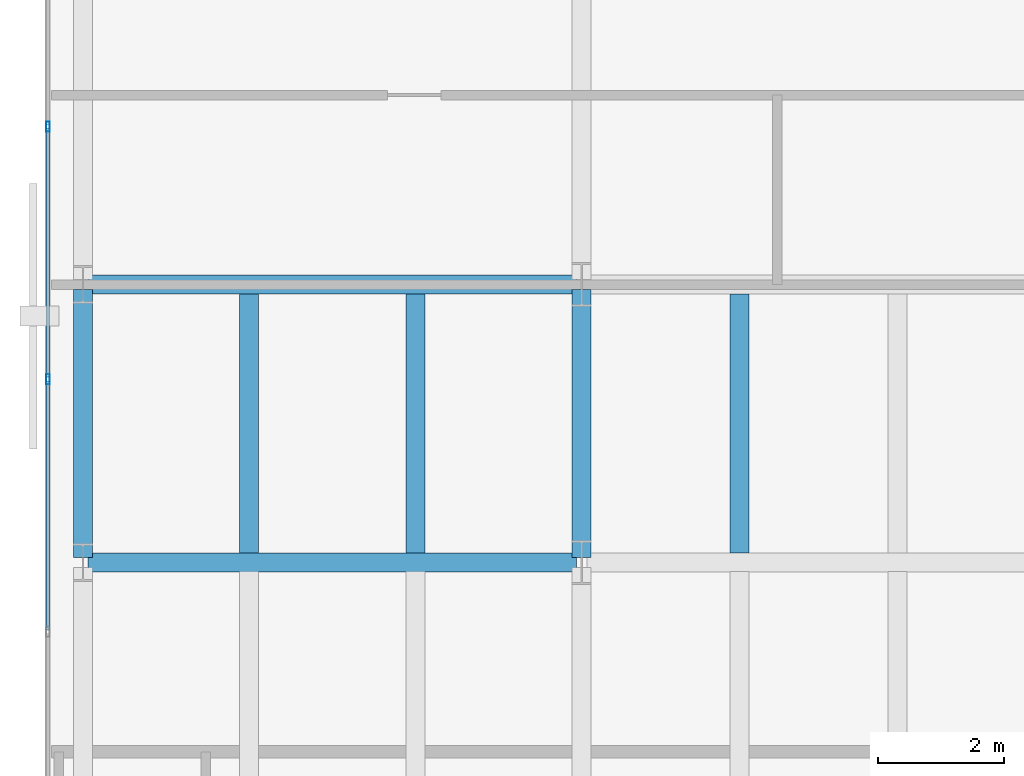
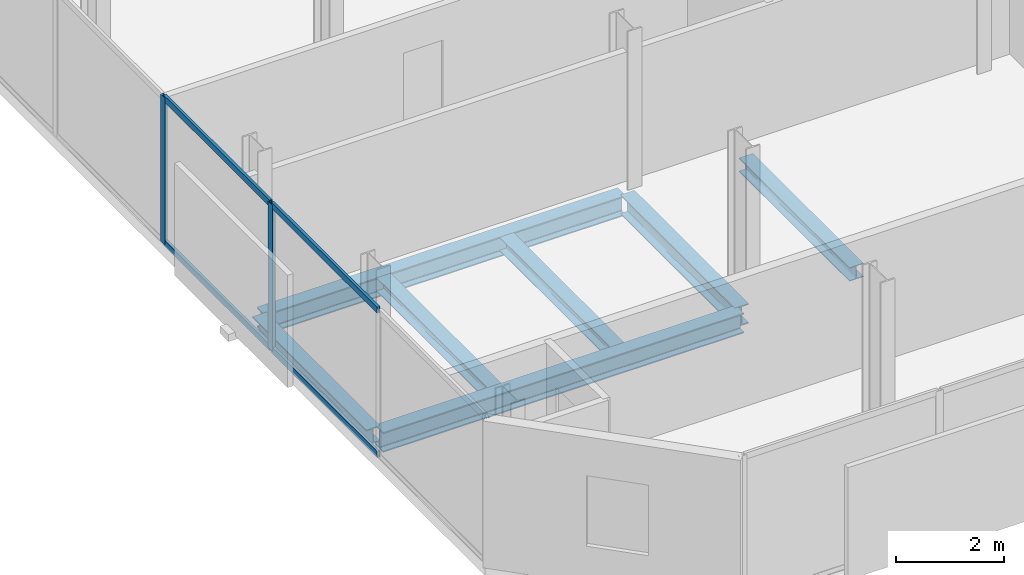
# One storey, part 5 of 32: 7 beams, 6 members, 1 element without a shape of its own.
"""IFC4 building model written with IfcOpenShell, lengths in metres."""

from ifc_helpers import new_model, si_unit, direction, frame, origin, origin_2d, place, context, subcontext, project, spatial, hollow_rectangle, i_section, extrude, material, layer, layer_set, material_profile, profile_set, type_object, element, aggregate, save


model = new_model("IFC4")

# Units and contexts
model_context = context("Model", 3, precision=1e-05, world=origin(), true_north=direction((0.0, 1.0)))
body_context = subcontext(model_context, "Body", "Model", "MODEL_VIEW")
ifc_project = project(units=[si_unit("LENGTHUNIT", "METRE"), si_unit("AREAUNIT", "SQUARE_METRE"), si_unit("VOLUMEUNIT", "CUBIC_METRE"), si_unit("PLANEANGLEUNIT", "RADIAN"), si_unit("MASSUNIT", "GRAM", prefix="KILO")], contexts=[model_context])

# Site, building, storey
site_placement = place(None, origin())
site = spatial("IfcSite", under=ifc_project, at=site_placement, CompositionType="ELEMENT")
building_placement = place(site_placement, origin())
building = spatial("IfcBuilding", under=site, at=building_placement, Name="Catumbela Crestline Tower", CompositionType="ELEMENT")
storey_placement = place(building_placement, frame((0.0, 0.0, 133.2)))
storey = spatial("IfcBuildingStorey", under=building, at=storey_placement, Name="L34", CompositionType="ELEMENT", Elevation=133.2)

# Beams
ifc_material_1 = material(Name="Structural steel S355J2", Category="steel")
ifc_material_profile_1 = material_profile(ifc_material_1, i_section(OverallWidth=0.3, OverallDepth=0.45, WebThickness=0.014, FlangeThickness=0.026, FilletRadius=0.027, at=origin_2d()), Name="HEB 450")
ifc_profile_set_1 = profile_set([ifc_material_profile_1], Name="Structural steel S355J2")
beam_type_1 = type_object("IfcBeamType", Name="BG-HEB450", PredefinedType="BEAM", material=ifc_profile_set_1)
for number, where, z_axis, x_axis, name in (
    (1, (0.68, 13.6, -0.485), (1.0, 0.0, 0.0), (0.0, 1.0, 0.0), "L34 Beam BM-L34-WEW46"),
    (2, (0.68, 18.0, -0.485), (1.0, 0.0, 0.0), (0.0, 1.0, 0.0), "L34 Beam BM-L34-WEW49"),
):
    element("IfcBeam", number, at=place(storey_placement, frame(where, z_axis=z_axis, x_axis=x_axis)), inside=storey, type_object=beam_type_1, Name=name, PredefinedType="BEAM", context=body_context, shape_type="SweptSolid", body=[
        extrude(i_section(OverallWidth=0.3, OverallDepth=0.45, WebThickness=0.014, FlangeThickness=0.026, FilletRadius=0.027, at=origin_2d()), origin(), (0.0, 0.0, 1.0), 7.74),
    ])
beam_1_placement = place(storey_placement, frame((8.5, 13.68, -0.485), z_axis=(0.0, 1.0, 0.0), x_axis=(-1.0, 0.0, 0.0)))
element("IfcBeam", 3, at=beam_1_placement, inside=storey, type_object=beam_type_1, Name="L34 Beam BM-L34-WNS56", PredefinedType="BEAM", context=body_context, shape_type="SweptSolid", body=[
    extrude(i_section(OverallWidth=0.3, OverallDepth=0.45, WebThickness=0.014, FlangeThickness=0.026, FilletRadius=0.027, at=origin_2d()), origin(), (0.0, 0.0, 1.0), 4.24),
])
ifc_material_profile_2 = material_profile(ifc_material_1, i_section(OverallWidth=0.3, OverallDepth=0.31, WebThickness=0.009, FlangeThickness=0.0155, FilletRadius=0.027, at=origin_2d()), Name="HEA 320")
ifc_profile_set_2 = profile_set([ifc_material_profile_2], Name="Structural steel S355J2")
beam_type_2 = type_object("IfcBeamType", Name="BJ-HEA320", PredefinedType="JOIST", material=ifc_profile_set_2)
for number, where, z_axis, x_axis, name in (
    (4, (3.233, 13.747, -0.415), (0.0, 1.0, 0.0), (-1.0, 0.0, 0.0), "L34 Joist JS-L34-WG69"),
    (5, (5.867, 13.747, -0.415), (0.0, 1.0, 0.0), (-1.0, 0.0, 0.0), "L34 Joist JS-L34-WG70"),
    (6, (11.0, 13.747, -0.415), (0.0, 1.0, 0.0), (-1.0, 0.0, 0.0), "L34 Joist JS-L34-WG71"),
):
    element("IfcBeam", number, at=place(storey_placement, frame(where, z_axis=z_axis, x_axis=x_axis)), inside=storey, type_object=beam_type_2, Name=name, PredefinedType="JOIST", context=body_context, shape_type="SweptSolid", body=[
        extrude(i_section(OverallWidth=0.3, OverallDepth=0.31, WebThickness=0.009, FlangeThickness=0.0155, FilletRadius=0.027, at=origin_2d()), origin(), (0.0, 0.0, 1.0), 4.106),
    ])

# Curtain wall, members
ifc_material_2 = material(Name="Aluminium alloy AW-6060-T66", Category="aluminium")
ifc_layer = layer(ifc_material_2, 0.18, Name="Aluminium alloy AW-6060-T66")
ifc_layer_set = layer_set([ifc_layer], Name="Aluminium alloy AW-6060-T66")
curtain_wall_type = type_object("IfcCurtainWallType", Name="CWU-Z2", PredefinedType="USERDEFINED", material=ifc_layer_set)
curtain_wall_placement = place(storey_placement, origin())
curtain_wall = element("IfcCurtainWall", 7, at=curtain_wall_placement, inside=storey, type_object=curtain_wall_type, Name="L34 Unitised Curtain Wall CW-L34-E9S1", ObjectType="UNITISED", PredefinedType="USERDEFINED")
ifc_material_profile_3 = material_profile(ifc_material_2, hollow_rectangle(XDim=0.06, YDim=0.16, WallThickness=0.004, at=origin_2d()), Name="ALU 160x60x4")
ifc_profile_set_3 = profile_set([ifc_material_profile_3], Name="Aluminium alloy AW-6060-T66")
member_type_1 = type_object("IfcMemberType", Name="MUL-160X60", PredefinedType="MULLION", material=ifc_profile_set_3)
member_1_placement = place(storey_placement, frame((0.05, 20.5, 0.0), z_axis=(0.0, 0.0, 1.0), x_axis=(1.0, 0.0, 0.0)))
member_1 = element("IfcMember", 8, at=member_1_placement, type_object=member_type_1, Name="CWU-Z2 mullion 7", PredefinedType="MULLION", context=body_context, shape_type="SweptSolid", body=[
    extrude(hollow_rectangle(XDim=0.06, YDim=0.16, WallThickness=0.004, at=origin_2d()), origin(), (0.0, 0.0, 1.0), 3.33),
])
member_2_placement = place(storey_placement, frame((0.05, 16.5, 0.0), z_axis=(0.0, 0.0, 1.0), x_axis=(1.0, 0.0, 0.0)))
member_2 = element("IfcMember", 9, at=member_2_placement, type_object=member_type_1, Name="CWU-Z2 mullion 8", PredefinedType="MULLION", context=body_context, shape_type="SweptSolid", body=[
    extrude(hollow_rectangle(XDim=0.06, YDim=0.16, WallThickness=0.004, at=origin_2d()), origin(), (0.0, 0.0, 1.0), 3.33),
])

# Beam
ifc_material_profile_4 = material_profile(ifc_material_1, i_section(OverallWidth=0.3, OverallDepth=0.36, WebThickness=0.0125, FlangeThickness=0.0225, FilletRadius=0.027, at=origin_2d()), Name="HEB 360")
ifc_profile_set_4 = profile_set([ifc_material_profile_4], Name="Structural steel S355J2")
beam_type_3 = type_object("IfcBeamType", Name="BS-HEB360", PredefinedType="SPANDREL", material=ifc_profile_set_4)
beam_2_placement = place(storey_placement, frame((0.6, 13.68, -0.44), z_axis=(0.0, 1.0, 0.0), x_axis=(-1.0, 0.0, 0.0)))
element("IfcBeam", 10, at=beam_2_placement, inside=storey, type_object=beam_type_3, Name="L34 Spandrel SP-L34-WNS53", PredefinedType="SPANDREL", context=body_context, shape_type="SweptSolid", body=[
    extrude(i_section(OverallWidth=0.3, OverallDepth=0.36, WebThickness=0.0125, FlangeThickness=0.0225, FilletRadius=0.027, at=origin_2d()), origin(), (0.0, 0.0, 1.0), 4.24),
])

# Member
ifc_material_profile_5 = material_profile(ifc_material_2, hollow_rectangle(XDim=0.06, YDim=0.14, WallThickness=0.004, at=origin_2d()), Name="ALU 140x60x4")
ifc_profile_set_5 = profile_set([ifc_material_profile_5], Name="Aluminium alloy AW-6060-T66")
member_type_2 = type_object("IfcMemberType", Name="TRN-140X60", PredefinedType="USERDEFINED", material=ifc_profile_set_5)
member_3_placement = place(storey_placement, frame((0.05, 20.4675, 0.03), z_axis=(0.0, -1.0, 0.0), x_axis=(1.0, 0.0, 0.0)))
member_3 = element("IfcMember", 11, at=member_3_placement, type_object=member_type_2, Name="CWU-Z2 transom 7.1", ObjectType="TRANSOM", PredefinedType="USERDEFINED", context=body_context, shape_type="SweptSolid", body=[
    extrude(hollow_rectangle(XDim=0.06, YDim=0.14, WallThickness=0.004, at=origin_2d()), origin(), (0.0, 0.0, 1.0), 3.935),
])

member_4_placement = place(storey_placement, frame((0.05, 20.4675, 3.3), z_axis=(0.0, -1.0, 0.0), x_axis=(1.0, 0.0, 0.0)))
member_4 = element("IfcMember", 12, at=member_4_placement, type_object=member_type_2, Name="CWU-Z2 transom 7.2", ObjectType="TRANSOM", PredefinedType="USERDEFINED", context=body_context, shape_type="SweptSolid", body=[
    extrude(hollow_rectangle(XDim=0.06, YDim=0.14, WallThickness=0.004, at=origin_2d()), origin(), (0.0, 0.0, 1.0), 3.935),
])

member_5_placement = place(storey_placement, frame((0.05, 16.4675, 0.03), z_axis=(0.0, -1.0, 0.0), x_axis=(1.0, 0.0, 0.0)))
member_5 = element("IfcMember", 13, at=member_5_placement, type_object=member_type_2, Name="CWU-Z2 transom 8.1", ObjectType="TRANSOM", PredefinedType="USERDEFINED", context=body_context, shape_type="SweptSolid", body=[
    extrude(hollow_rectangle(XDim=0.06, YDim=0.14, WallThickness=0.004, at=origin_2d()), origin(), (0.0, 0.0, 1.0), 3.935),
])

member_6_placement = place(storey_placement, frame((0.05, 16.4675, 3.3), z_axis=(0.0, -1.0, 0.0), x_axis=(1.0, 0.0, 0.0)))
member_6 = element("IfcMember", 14, at=member_6_placement, type_object=member_type_2, Name="CWU-Z2 transom 8.2", ObjectType="TRANSOM", PredefinedType="USERDEFINED", context=body_context, shape_type="SweptSolid", body=[
    extrude(hollow_rectangle(XDim=0.06, YDim=0.14, WallThickness=0.004, at=origin_2d()), origin(), (0.0, 0.0, 1.0), 3.935),
])

aggregate(curtain_wall, [member_1, member_2, member_3, member_4, member_5, member_6])

save(model, "model.ifc")
